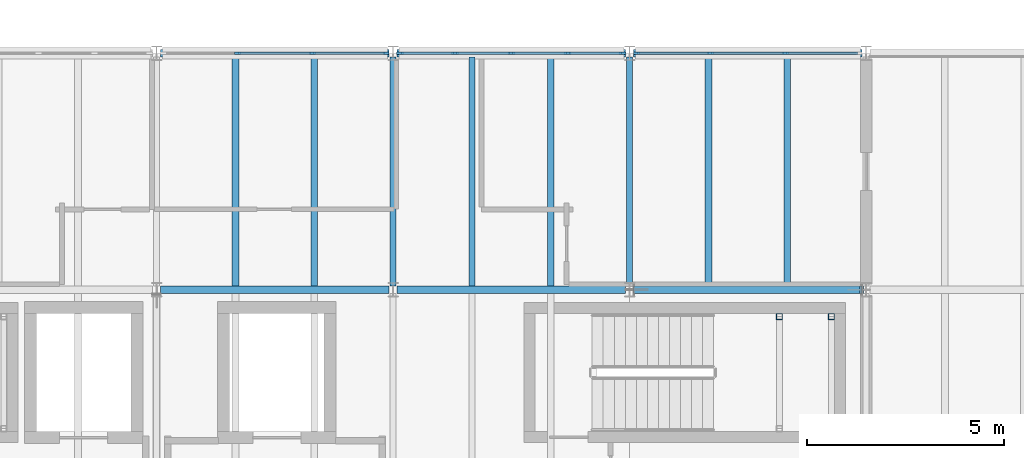
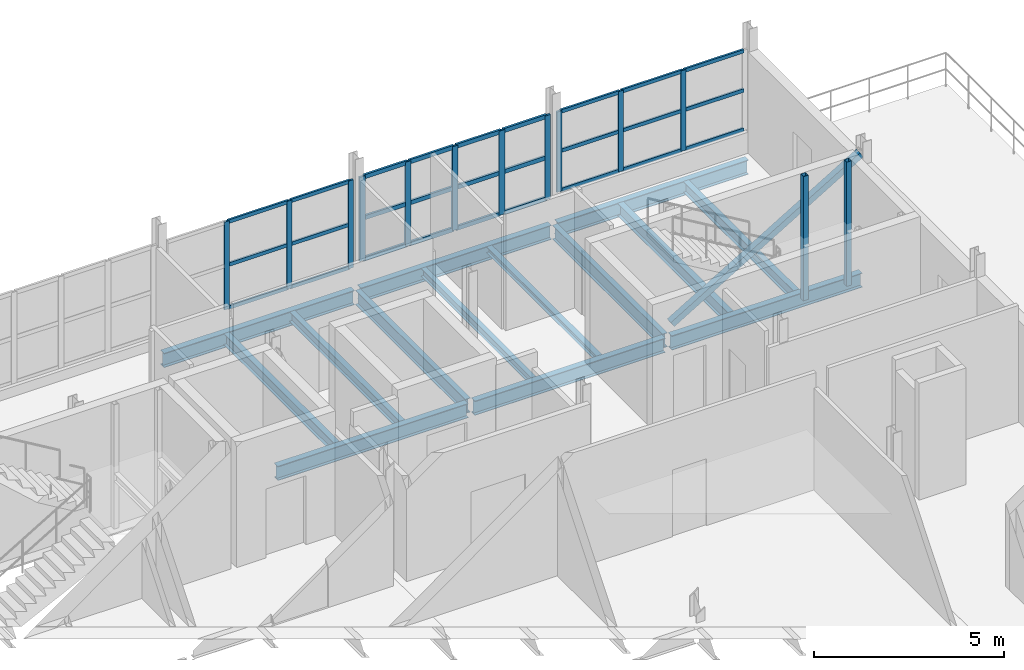
# One storey, part 10 of 23: 41 members, 14 beams, 3 elements without a shape of their own.
"""IFC4 building model written with IfcOpenShell, lengths in metres."""

import ifcopenshell
import ifcopenshell.guid

model = None  # the IFC model being written
_history = None  # IfcOwnerHistory: only IFC2X3 demands one
_inside = {}  # id of a spatial element -> (the spatial element, [elements in it])
_under = {}  # id of a project, library or spatial element -> (it, [spatial elements below it])
_declared = {}  # id of a project -> (the project, [libraries it declares])
_typed = {}  # id of a type object -> (the type object, [elements of that type])
_made_of = {}  # id of a material, layer set ... -> (it, [elements and type objects made of it])


def new_model(schema):
    """Start an empty IFC model of exactly this schema.

    Asked for "IFC4X3", IfcOpenShell would pick the latest addendum, in which some entities
    have other attributes; the version numbers below select the first issue.
    IFC2X3 requires an IfcOwnerHistory on every rooted entity: one is made here for all.
    """
    global model, _history
    if schema == "IFC4X3":
        model = ifcopenshell.file(schema_version=(4, 3, 0, 0))
    else:
        model = ifcopenshell.file(schema=schema)
    _inside.clear()
    _under.clear()
    _declared.clear()
    _typed.clear()
    _made_of.clear()
    _history = None
    if model.schema == "IFC2X3":
        org = make("IfcOrganization", Name="unknown")
        user = make(
            "IfcPersonAndOrganization",
            ThePerson=make("IfcPerson", FamilyName="unknown"),
            TheOrganization=org,
        )
        app = make(
            "IfcApplication",
            ApplicationDeveloper=org,
            Version="unknown",
            ApplicationFullName="unknown",
            ApplicationIdentifier="unknown",
        )
        _history = make(
            "IfcOwnerHistory",
            OwningUser=user,
            OwningApplication=app,
            ChangeAction="ADDED",
            CreationDate=0,
        )
    return model


def make(cls, **values):
    """One entity of the class cls with the attributes given. An attribute that is None is left unset."""
    return model.create_entity(
        cls, **{name: value for name, value in values.items() if value is not None}
    )


def rooted(cls, **values):
    """An entity with a GlobalId (a new one), such as an element, a storey or a relation."""
    return make(cls, GlobalId=ifcopenshell.guid.new(), OwnerHistory=_history, **values)


def si_unit(unit_type, name, prefix=None):
    """IfcSIUnit, for example si_unit("LENGTHUNIT", "METRE", prefix="MILLI")."""
    return make("IfcSIUnit", UnitType=unit_type, Prefix=prefix, Name=name)


def assignment(units):
    """IfcUnitAssignment: the units of a project."""
    return None if units is None else make("IfcUnitAssignment", Units=units)


def point(xyz):
    """IfcCartesianPoint."""
    return None if xyz is None else make("IfcCartesianPoint", Coordinates=xyz)


def direction(xyz):
    """IfcDirection."""
    return None if xyz is None else make("IfcDirection", DirectionRatios=xyz)


def frame(location, z_axis=None, x_axis=None):
    """IfcAxis2Placement3D, a coordinate frame: its origin and axes. An axis left out is left unset."""
    return make(
        "IfcAxis2Placement3D",
        Location=point(location),
        Axis=direction(z_axis),
        RefDirection=direction(x_axis),
    )


def frame_2d(location, x_axis=None):
    """IfcAxis2Placement2D, a coordinate frame in the plane: its origin and x axis."""
    return make(
        "IfcAxis2Placement2D", Location=point(location), RefDirection=direction(x_axis)
    )


def origin():
    """The frame at (0, 0, 0) with its axes left unset."""
    return frame((0.0, 0.0, 0.0))


def origin_2d():
    """The frame at (0, 0) in the plane with its x axis left unset."""
    return frame_2d((0.0, 0.0))


def place(relative_to, where):
    """IfcLocalPlacement: puts the frame where relative to a parent placement (None: the world)."""
    return make(
        "IfcLocalPlacement", PlacementRelTo=relative_to, RelativePlacement=where
    )


def context(
    kind, dimensions, precision=None, world=None, true_north=None, identifier=None
):
    """IfcGeometricRepresentationContext, for example the 3D "Model" context."""
    return make(
        "IfcGeometricRepresentationContext",
        ContextIdentifier=identifier,
        ContextType=kind,
        CoordinateSpaceDimension=dimensions,
        Precision=precision,
        WorldCoordinateSystem=world,
        TrueNorth=true_north,
    )


def subcontext(parent, identifier, kind, view, scale=None):
    """IfcGeometricRepresentationSubContext, for example "Body" below "Model"."""
    return make(
        "IfcGeometricRepresentationSubContext",
        ContextIdentifier=identifier,
        ContextType=kind,
        ParentContext=parent,
        TargetScale=scale,
        TargetView=view,
    )


def project(units=None, contexts=None):
    """IfcProject with its units and contexts."""
    return rooted(
        "IfcProject",
        Name="project",
        RepresentationContexts=contexts,
        UnitsInContext=assignment(units),
    )


def spatial(cls, under=None, at=None, **own):
    """A site, building, storey or space (cls), placed at a placement, below another one or the project."""
    s = rooted(cls, ObjectPlacement=at, **own)
    if under is not None:
        _under.setdefault(under.id(), (under, []))[1].append(s)
    return s


def profile(cls, at=None, kind="AREA", **sizes):
    """A parametric profile (cls). Its sizes go by their IFC names, for example OverallWidth=200.0."""
    return make(cls, ProfileType=kind, Position=at, **sizes)


def rectangle(**sizes):
    """IfcRectangleProfileDef."""
    return profile("IfcRectangleProfileDef", **sizes)


def hollow_rectangle(**sizes):
    """IfcRectangleHollowProfileDef."""
    return profile("IfcRectangleHollowProfileDef", **sizes)


def i_section(**sizes):
    """IfcIShapeProfileDef."""
    return profile("IfcIShapeProfileDef", **sizes)


def extrude(swept, where, along, depth):
    """IfcExtrudedAreaSolid: the profile swept, set in the frame where, extruded along a direction by depth."""
    return make(
        "IfcExtrudedAreaSolid",
        SweptArea=swept,
        Position=where,
        ExtrudedDirection=direction(along),
        Depth=depth,
    )


def shape(context_of_items, identifier, shape_type, items):
    """IfcShapeRepresentation: the items that make up one representation, for example the "Body"."""
    return make(
        "IfcShapeRepresentation",
        ContextOfItems=context_of_items,
        RepresentationIdentifier=identifier,
        RepresentationType=shape_type,
        Items=items,
    )


def material(Name=None, Category=None):
    """IfcMaterial."""
    return make("IfcMaterial", Name=Name, Category=Category)


def material_profile(
    of_material, cross_section, Name=None, Category=None, Priority=None
):
    """IfcMaterialProfile: a cross section and its material."""
    return make(
        "IfcMaterialProfile",
        Name=Name,
        Material=of_material,
        Profile=cross_section,
        Priority=Priority,
        Category=Category,
    )


def profile_set(profiles, Name=None, composite=None):
    """IfcMaterialProfileSet."""
    return make(
        "IfcMaterialProfileSet",
        Name=Name,
        MaterialProfiles=profiles,
        CompositeProfile=composite,
    )


def made_of(thing, what):
    """Note that an element or type object is made of a material, layer set ...; save() writes the relation."""
    if what is not None:
        _made_of.setdefault(what.id(), (what, []))[1].append(thing)
    return thing


def type_object(cls, material=None, **own):
    """A type object (cls), such as IfcWallType, which elements share."""
    return made_of(rooted(cls, **own), material)


def element(
    cls,
    number,
    at=None,
    inside=None,
    cuts=None,
    type_object=None,
    material=None,
    context=None,
    identifier="Body",
    shape_type=None,
    held_by="IfcProductDefinitionShape",
    body=None,
    shapes=None,
    **own,
):
    """One element of the class cls, such as IfcWall. Its Tag is "e" and its number.

    at: its placement. inside: the storey or other place that contains it. cuts: it is an
    opening in that element (IfcRelVoidsElement). A single representation is given by context,
    identifier, shape_type and body (its items); several are given by shapes. held_by: the class
    of the entity that holds the representations. save() writes the other relations.
    """
    e = rooted(cls, Tag="e%d" % number, ObjectPlacement=at, **own)
    if body is not None:
        shapes = [shape(context, identifier, shape_type, body)]
    if shapes is not None:
        e.Representation = make(held_by, Representations=shapes)
    if inside is not None:
        _inside.setdefault(inside.id(), (inside, []))[1].append(e)
    if cuts is not None:
        rooted(
            "IfcRelVoidsElement", RelatingBuildingElement=cuts, RelatedOpeningElement=e
        )
    if type_object is not None:
        _typed.setdefault(type_object.id(), (type_object, []))[1].append(e)
    return made_of(e, material)


def aggregate(whole, parts):
    """IfcRelAggregates: a whole, such as a stair, and the parts it consists of."""
    return rooted("IfcRelAggregates", RelatingObject=whole, RelatedObjects=parts)


def save(model, path):
    """Write the relations noted so far, then the file.

    IfcRelAggregates (storeys below a building ...), IfcRelContainedInSpatialStructure (elements
    in a storey), IfcRelDefinesByType, IfcRelAssociatesMaterial and IfcRelDeclares: one each for
    every whole, place, type object, material and project.
    """
    for whole, parts in _under.values():
        aggregate(whole, parts)
    for where, things in _inside.values():
        rooted(
            "IfcRelContainedInSpatialStructure",
            RelatedElements=things,
            RelatingStructure=where,
        )
    for kind, things in _typed.values():
        rooted("IfcRelDefinesByType", RelatedObjects=things, RelatingType=kind)
    for what, things in _made_of.values():
        rooted("IfcRelAssociatesMaterial", RelatedObjects=things, RelatingMaterial=what)
    for by, libraries in _declared.values():
        rooted("IfcRelDeclares", RelatingContext=by, RelatedDefinitions=libraries)
    model.write(path)


model = new_model("IFC4")

# Units and contexts
model_context = context("Model", 3, precision=1e-05, world=origin(), true_north=direction((0.0, 1.0)))
body_context = subcontext(model_context, "Body", "Model", "MODEL_VIEW")
ifc_project = project(units=[si_unit("LENGTHUNIT", "METRE"), si_unit("AREAUNIT", "SQUARE_METRE"), si_unit("VOLUMEUNIT", "CUBIC_METRE"), si_unit("PLANEANGLEUNIT", "RADIAN"), si_unit("MASSUNIT", "GRAM", prefix="KILO")], contexts=[model_context])

# Site, building, storey
site_placement = place(None, origin())
site = spatial("IfcSite", under=ifc_project, at=site_placement, CompositionType="ELEMENT")
building_placement = place(site_placement, origin())
building = spatial("IfcBuilding", under=site, at=building_placement, Name="Siltcreek Boulevard Central Fire Station", CompositionType="ELEMENT")
storey_placement = place(building_placement, frame((0.0, 0.0, 14.0)))
storey = spatial("IfcBuildingStorey", under=building, at=storey_placement, Name="L04", CompositionType="ELEMENT", Elevation=14.0)

# Beams
ifc_material_1 = material(Name="Structural steel ASTM A992 Gr50", Category="steel")
ifc_material_profile_1 = material_profile(ifc_material_1, i_section(OverallWidth=0.154052734375, OverallDepth=0.458984375, WebThickness=0.009033203125, FlangeThickness=0.015380859375, at=origin_2d()), Name="W460X68")
ifc_profile_set_1 = profile_set([ifc_material_profile_1], Name="Structural steel ASTM A992 Gr50")
beam_type_1 = type_object("IfcBeamType", Name="BM_W460X68", PredefinedType="BEAM", material=ifc_profile_set_1)
for number, where, z_axis, x_axis, name in (
    (1, (142.199951171875, 106.300048828125, -0.489501953125), (0.0, 1.0, 0.0), (-1.0, 0.0, 0.0), "L04 primary steel girder GY-0582"),
    (2, (148.199951171875, 106.300048828125, -0.489501953125), (0.0, 1.0, 0.0), (-1.0, 0.0, 0.0), "L04 primary steel girder GY-0585"),
):
    element("IfcBeam", number, at=place(storey_placement, frame(where, z_axis=z_axis, x_axis=x_axis)), inside=storey, type_object=beam_type_1, Name=name, PredefinedType="BEAM", context=body_context, shape_type="SweptSolid", body=[
        extrude(i_section(OverallWidth=0.154052734375, OverallDepth=0.458984375, WebThickness=0.009033203125, FlangeThickness=0.015380859375, at=origin_2d()), origin(), (0.0, 0.0, 1.0), 5.800048828125),
    ])
ifc_material_profile_2 = material_profile(ifc_material_1, i_section(OverallWidth=0.19189453125, OverallDepth=0.462890625, WebThickness=0.010498046875, FlangeThickness=0.017578125, at=origin_2d()), Name="W460X89")
ifc_profile_set_2 = profile_set([ifc_material_profile_2], Name="Structural steel ASTM A992 Gr50")
beam_type_2 = type_object("IfcBeamType", Name="BM_W460X89", PredefinedType="BEAM", material=ifc_profile_set_2)
for number, where, z_axis, x_axis, name in (
    (3, (136.300048828125, 106.199951171875, -0.491455078125), (1.0, 0.0, 0.0), (0.0, 1.0, 0.0), "L04 primary steel girder GX-0558"),
    (4, (142.300048828125, 106.199951171875, -0.491455078125), (1.0, 0.0, 0.0), (0.0, 1.0, 0.0), "L04 primary steel girder GX-0559"),
    (5, (148.300048828125, 106.199951171875, -0.491455078125), (1.0, 0.0, 0.0), (0.0, 1.0, 0.0), "L04 primary steel girder GX-0560"),
    (6, (136.300048828125, 112.199951171875, -0.491455078125), (1.0, 0.0, 0.0), (0.0, 1.0, 0.0), "L04 primary steel girder GX-0564"),
    (7, (142.300048828125, 112.199951171875, -0.491455078125), (1.0, 0.0, 0.0), (0.0, 1.0, 0.0), "L04 primary steel girder GX-0565"),
    (8, (148.300048828125, 112.199951171875, -0.491455078125), (1.0, 0.0, 0.0), (0.0, 1.0, 0.0), "L04 primary steel girder GX-0566"),
):
    element("IfcBeam", number, at=place(storey_placement, frame(where, z_axis=z_axis, x_axis=x_axis)), inside=storey, type_object=beam_type_2, Name=name, PredefinedType="BEAM", context=body_context, shape_type="SweptSolid", body=[
        extrude(i_section(OverallWidth=0.19189453125, OverallDepth=0.462890625, WebThickness=0.010498046875, FlangeThickness=0.017578125, at=origin_2d()), origin(), (0.0, 0.0, 1.0), 5.800048828125),
    ])

# Members
ifc_material_2 = material(Name="Structural steel ASTM A500 GrC", Category="steel")
ifc_material_profile_3 = material_profile(ifc_material_2, hollow_rectangle(XDim=0.14990234375, YDim=0.14990234375, WallThickness=0.008056640625, at=origin_2d()), Name="HSS150X150X8.0")
ifc_profile_set_3 = profile_set([ifc_material_profile_3], Name="Structural steel ASTM A500 GrC")
member_type_1 = type_object("IfcMemberType", Name="BR_HSS150_8", PredefinedType="BRACE", material=ifc_profile_set_3)
for number, where, z_axis, x_axis, name in (
    (9, (152.0, 105.52001953125, 0.0), (0.0, 0.0, 1.0), (1.0, 0.0, 0.0), "L04 ST-V5B stair landing corner post NW"),
    (10, (153.320068359375, 105.52001953125, 0.0), (0.0, 0.0, 1.0), (1.0, 0.0, 0.0), "L04 ST-V5B stair landing corner post NE"),
):
    element("IfcMember", number, at=place(storey_placement, frame(where, z_axis=z_axis, x_axis=x_axis)), inside=storey, type_object=member_type_1, Name=name, PredefinedType="BRACE", context=body_context, shape_type="SweptSolid", body=[
        extrude(hollow_rectangle(XDim=0.14990234375, YDim=0.14990234375, WallThickness=0.008056640625, at=origin_2d()), origin(), (0.0, 0.0, 1.0), 4.0),
    ])
ifc_material_profile_4 = material_profile(ifc_material_2, hollow_rectangle(XDim=0.199951171875, YDim=0.199951171875, WallThickness=0.009521484375, at=origin_2d()), Name="HSS200X200X9.5")
ifc_profile_set_4 = profile_set([ifc_material_profile_4], Name="Structural steel ASTM A500 GrC")
member_type_2 = type_object("IfcMemberType", Name="BR_HSS200_9", PredefinedType="BRACE", material=ifc_profile_set_4)
member_1_placement = place(storey_placement, frame((148.320068359375, 106.199951171875, 0.10009765625), z_axis=(0.857890513261, 0.0, 0.513832528415), x_axis=(0.0, 1.0, 0.0)))
element("IfcMember", 11, at=member_1_placement, inside=storey, type_object=member_type_2, Name="L04 buckling-restrained brace BR-029", PredefinedType="BRACE", context=body_context, shape_type="SweptSolid", body=[
    extrude(hollow_rectangle(XDim=0.199951171875, YDim=0.199951171875, WallThickness=0.009521484375, at=origin_2d()), origin(), (0.0, 0.0, 1.0), 6.714111328125),
])

# Curtain wall, members
ifc_material_3 = material(Name="Anodized aluminum and low-E insulated glazing", Category="aluminium")
curtain_wall_type_1 = type_object("IfcCurtainWallType", Name="CW_SYS_20", PredefinedType="USERDEFINED", material=ifc_material_3)
curtain_wall_1_placement = place(storey_placement, origin())
curtain_wall_1 = element("IfcCurtainWall", 12, at=curtain_wall_1_placement, inside=storey, type_object=curtain_wall_type_1, Name="L04 V5 unitised curtain wall CW-169", ObjectType="CURTAIN WALL", PredefinedType="USERDEFINED")
ifc_material_4 = material(Name="Anodized 6063-T6 aluminum framing", Category="aluminium")
ifc_material_profile_5 = material_profile(ifc_material_4, rectangle(XDim=0.06005859375, YDim=0.14990234375, at=origin_2d()), Name="MULL60X150")
ifc_profile_set_5 = profile_set([ifc_material_profile_5], Name="Anodized 6063-T6 aluminum framing")
member_type_3 = type_object("IfcMemberType", Name="CWM_60X150", PredefinedType="MULLION", material=ifc_profile_set_5)
member_2_placement = place(storey_placement, frame((142.02490234375, 112.199951171875, 0.43994140625), z_axis=(0.0, 0.0, 1.0), x_axis=(0.0, -1.0, 0.0)))
member_2 = element("IfcMember", 13, at=member_2_placement, type_object=member_type_3, Name="CW-169 mullion 1", PredefinedType="MULLION", context=body_context, shape_type="SweptSolid", body=[
    extrude(rectangle(XDim=0.06005859375, YDim=0.14990234375, at=origin_2d()), origin(), (0.0, 0.0, 1.0), 2.8291015625),
])
member_3_placement = place(storey_placement, frame((140.151611328125, 112.199951171875, 0.43994140625), z_axis=(0.0, 0.0, 1.0), x_axis=(0.0, -1.0, 0.0)))
member_3 = element("IfcMember", 14, at=member_3_placement, type_object=member_type_3, Name="CW-169 mullion 2", PredefinedType="MULLION", context=body_context, shape_type="SweptSolid", body=[
    extrude(rectangle(XDim=0.06005859375, YDim=0.14990234375, at=origin_2d()), origin(), (0.0, 0.0, 1.0), 2.8291015625),
])
member_4_placement = place(storey_placement, frame((138.248291015625, 112.199951171875, 0.43994140625), z_axis=(0.0, 0.0, 1.0), x_axis=(0.0, -1.0, 0.0)))
member_4 = element("IfcMember", 15, at=member_4_placement, type_object=member_type_3, Name="CW-169 mullion 3", PredefinedType="MULLION", context=body_context, shape_type="SweptSolid", body=[
    extrude(rectangle(XDim=0.06005859375, YDim=0.14990234375, at=origin_2d()), origin(), (0.0, 0.0, 1.0), 2.8291015625),
])

curtain_wall_type_2 = type_object("IfcCurtainWallType", Name="CW_SYS_22", PredefinedType="USERDEFINED", material=ifc_material_3)
curtain_wall_2_placement = place(storey_placement, origin())
curtain_wall_2 = element("IfcCurtainWall", 16, at=curtain_wall_2_placement, inside=storey, type_object=curtain_wall_type_2, Name="L04 V5 unitised curtain wall CW-171", ObjectType="CURTAIN WALL", PredefinedType="USERDEFINED")
member_5_placement = place(storey_placement, frame((152.151611328125, 112.199951171875, 0.679931640625), z_axis=(0.0, 0.0, 1.0), x_axis=(0.0, -1.0, 0.0)))
member_5 = element("IfcMember", 17, at=member_5_placement, type_object=member_type_3, Name="CW-171 mullion 2", PredefinedType="MULLION", context=body_context, shape_type="SweptSolid", body=[
    extrude(rectangle(XDim=0.06005859375, YDim=0.14990234375, at=origin_2d()), origin(), (0.0, 0.0, 1.0), 2.589111328125),
])
member_6_placement = place(storey_placement, frame((150.248291015625, 112.199951171875, 0.679931640625), z_axis=(0.0, 0.0, 1.0), x_axis=(0.0, -1.0, 0.0)))
member_6 = element("IfcMember", 18, at=member_6_placement, type_object=member_type_3, Name="CW-171 mullion 3", PredefinedType="MULLION", context=body_context, shape_type="SweptSolid", body=[
    extrude(rectangle(XDim=0.06005859375, YDim=0.14990234375, at=origin_2d()), origin(), (0.0, 0.0, 1.0), 2.589111328125),
])
member_7_placement = place(storey_placement, frame((148.375, 112.199951171875, 0.679931640625), z_axis=(0.0, 0.0, 1.0), x_axis=(0.0, -1.0, 0.0)))
member_7 = element("IfcMember", 19, at=member_7_placement, type_object=member_type_3, Name="CW-171 mullion 4", PredefinedType="MULLION", context=body_context, shape_type="SweptSolid", body=[
    extrude(rectangle(XDim=0.06005859375, YDim=0.14990234375, at=origin_2d()), origin(), (0.0, 0.0, 1.0), 2.589111328125),
])

curtain_wall_type_3 = type_object("IfcCurtainWallType", Name="CW_SYS_21", PredefinedType="USERDEFINED", material=ifc_material_3)
curtain_wall_3_placement = place(storey_placement, origin())
curtain_wall_3 = element("IfcCurtainWall", 20, at=curtain_wall_3_placement, inside=storey, type_object=curtain_wall_type_3, Name="L04 V5 unitised curtain wall CW-170", ObjectType="CURTAIN WALL", PredefinedType="USERDEFINED")
ifc_material_profile_6 = material_profile(ifc_material_4, rectangle(XDim=0.06494140625, YDim=0.175048828125, at=origin_2d()), Name="MULL65X175")
ifc_profile_set_6 = profile_set([ifc_material_profile_6], Name="Anodized 6063-T6 aluminum framing")
member_type_4 = type_object("IfcMemberType", Name="CWM_65X175", PredefinedType="MULLION", material=ifc_profile_set_6)
member_8_placement = place(storey_placement, frame((148.0224609375, 112.199951171875, 0.56005859375), z_axis=(0.0, 0.0, 1.0), x_axis=(0.0, -1.0, 0.0)))
member_8 = element("IfcMember", 21, at=member_8_placement, type_object=member_type_4, Name="CW-170 mullion 1", PredefinedType="MULLION", context=body_context, shape_type="SweptSolid", body=[
    extrude(rectangle(XDim=0.06494140625, YDim=0.175048828125, at=origin_2d()), origin(), (0.0, 0.0, 1.0), 2.708984375),
])
member_9_placement = place(storey_placement, frame((146.62744140625, 112.199951171875, 0.56005859375), z_axis=(0.0, 0.0, 1.0), x_axis=(0.0, -1.0, 0.0)))
member_9 = element("IfcMember", 22, at=member_9_placement, type_object=member_type_4, Name="CW-170 mullion 2", PredefinedType="MULLION", context=body_context, shape_type="SweptSolid", body=[
    extrude(rectangle(XDim=0.06494140625, YDim=0.175048828125, at=origin_2d()), origin(), (0.0, 0.0, 1.0), 2.708984375),
])
member_10_placement = place(storey_placement, frame((145.199951171875, 112.199951171875, 0.56005859375), z_axis=(0.0, 0.0, 1.0), x_axis=(0.0, -1.0, 0.0)))
member_10 = element("IfcMember", 23, at=member_10_placement, type_object=member_type_4, Name="CW-170 mullion 3", PredefinedType="MULLION", context=body_context, shape_type="SweptSolid", body=[
    extrude(rectangle(XDim=0.06494140625, YDim=0.175048828125, at=origin_2d()), origin(), (0.0, 0.0, 1.0), 2.708984375),
])
member_11_placement = place(storey_placement, frame((143.7724609375, 112.199951171875, 0.56005859375), z_axis=(0.0, 0.0, 1.0), x_axis=(0.0, -1.0, 0.0)))
member_11 = element("IfcMember", 24, at=member_11_placement, type_object=member_type_4, Name="CW-170 mullion 4", PredefinedType="MULLION", context=body_context, shape_type="SweptSolid", body=[
    extrude(rectangle(XDim=0.06494140625, YDim=0.175048828125, at=origin_2d()), origin(), (0.0, 0.0, 1.0), 2.708984375),
])
member_12_placement = place(storey_placement, frame((142.37744140625, 112.199951171875, 0.56005859375), z_axis=(0.0, 0.0, 1.0), x_axis=(0.0, -1.0, 0.0)))
member_12 = element("IfcMember", 25, at=member_12_placement, type_object=member_type_4, Name="CW-170 mullion 5", PredefinedType="MULLION", context=body_context, shape_type="SweptSolid", body=[
    extrude(rectangle(XDim=0.06494140625, YDim=0.175048828125, at=origin_2d()), origin(), (0.0, 0.0, 1.0), 2.708984375),
])

# Member
ifc_material_profile_7 = material_profile(ifc_material_4, rectangle(XDim=0.06005859375, YDim=0.114990234375, at=origin_2d()), Name="TRAN60X115")
ifc_profile_set_7 = profile_set([ifc_material_profile_7], Name="Anodized 6063-T6 aluminum framing")
member_type_5 = type_object("IfcMemberType", Name="CWT_60X115", PredefinedType="USERDEFINED", material=ifc_profile_set_7)
member_13_placement = place(storey_placement, frame((141.9951171875, 112.199951171875, 0.469970703125), z_axis=(-1.0, 0.0, 0.0), x_axis=(0.0, -1.0, 0.0)))
member_13 = element("IfcMember", 26, at=member_13_placement, type_object=member_type_5, Name="CW-169 transom 1.1", ObjectType="TRANSOM", PredefinedType="USERDEFINED", context=body_context, shape_type="SweptSolid", body=[
    extrude(rectangle(XDim=0.06005859375, YDim=0.114990234375, at=origin_2d()), origin(), (0.0, 0.0, 1.0), 1.8134765625),
])

member_14_placement = place(storey_placement, frame((141.9951171875, 112.199951171875, 1.8544921875), z_axis=(-1.0, 0.0, 0.0), x_axis=(0.0, -1.0, 0.0)))
member_14 = element("IfcMember", 27, at=member_14_placement, type_object=member_type_5, Name="CW-169 transom 1.2", ObjectType="TRANSOM", PredefinedType="USERDEFINED", context=body_context, shape_type="SweptSolid", body=[
    extrude(rectangle(XDim=0.06005859375, YDim=0.114990234375, at=origin_2d()), origin(), (0.0, 0.0, 1.0), 1.8134765625),
])

member_15_placement = place(storey_placement, frame((141.9951171875, 112.199951171875, 3.239013671875), z_axis=(-1.0, 0.0, 0.0), x_axis=(0.0, -1.0, 0.0)))
member_15 = element("IfcMember", 28, at=member_15_placement, type_object=member_type_5, Name="CW-169 transom 1.3", ObjectType="TRANSOM", PredefinedType="USERDEFINED", context=body_context, shape_type="SweptSolid", body=[
    extrude(rectangle(XDim=0.06005859375, YDim=0.114990234375, at=origin_2d()), origin(), (0.0, 0.0, 1.0), 1.8134765625),
])

member_16_placement = place(storey_placement, frame((140.12158203125, 112.199951171875, 0.469970703125), z_axis=(-1.0, 0.0, 0.0), x_axis=(0.0, -1.0, 0.0)))
member_16 = element("IfcMember", 29, at=member_16_placement, type_object=member_type_5, Name="CW-169 transom 2.1", ObjectType="TRANSOM", PredefinedType="USERDEFINED", context=body_context, shape_type="SweptSolid", body=[
    extrude(rectangle(XDim=0.06005859375, YDim=0.114990234375, at=origin_2d()), origin(), (0.0, 0.0, 1.0), 1.84326171875),
])

member_17_placement = place(storey_placement, frame((140.12158203125, 112.199951171875, 1.8544921875), z_axis=(-1.0, 0.0, 0.0), x_axis=(0.0, -1.0, 0.0)))
member_17 = element("IfcMember", 30, at=member_17_placement, type_object=member_type_5, Name="CW-169 transom 2.2", ObjectType="TRANSOM", PredefinedType="USERDEFINED", context=body_context, shape_type="SweptSolid", body=[
    extrude(rectangle(XDim=0.06005859375, YDim=0.114990234375, at=origin_2d()), origin(), (0.0, 0.0, 1.0), 1.84326171875),
])

member_18_placement = place(storey_placement, frame((140.12158203125, 112.199951171875, 3.239013671875), z_axis=(-1.0, 0.0, 0.0), x_axis=(0.0, -1.0, 0.0)))
member_18 = element("IfcMember", 31, at=member_18_placement, type_object=member_type_5, Name="CW-169 transom 2.3", ObjectType="TRANSOM", PredefinedType="USERDEFINED", context=body_context, shape_type="SweptSolid", body=[
    extrude(rectangle(XDim=0.06005859375, YDim=0.114990234375, at=origin_2d()), origin(), (0.0, 0.0, 1.0), 1.84326171875),
])

aggregate(curtain_wall_1, [member_2, member_3, member_4, member_13, member_14, member_15, member_16, member_17, member_18])

member_19_placement = place(storey_placement, frame((153.9951171875, 112.199951171875, 0.7099609375), z_axis=(-1.0, 0.0, 0.0), x_axis=(0.0, -1.0, 0.0)))
member_19 = element("IfcMember", 32, at=member_19_placement, type_object=member_type_5, Name="CW-171 transom 1.1", ObjectType="TRANSOM", PredefinedType="USERDEFINED", context=body_context, shape_type="SweptSolid", body=[
    extrude(rectangle(XDim=0.06005859375, YDim=0.114990234375, at=origin_2d()), origin(), (0.0, 0.0, 1.0), 1.8134765625),
])

member_20_placement = place(storey_placement, frame((153.9951171875, 112.199951171875, 1.974609375), z_axis=(-1.0, 0.0, 0.0), x_axis=(0.0, -1.0, 0.0)))
member_20 = element("IfcMember", 33, at=member_20_placement, type_object=member_type_5, Name="CW-171 transom 1.2", ObjectType="TRANSOM", PredefinedType="USERDEFINED", context=body_context, shape_type="SweptSolid", body=[
    extrude(rectangle(XDim=0.06005859375, YDim=0.114990234375, at=origin_2d()), origin(), (0.0, 0.0, 1.0), 1.8134765625),
])

member_21_placement = place(storey_placement, frame((153.9951171875, 112.199951171875, 3.239013671875), z_axis=(-1.0, 0.0, 0.0), x_axis=(0.0, -1.0, 0.0)))
member_21 = element("IfcMember", 34, at=member_21_placement, type_object=member_type_5, Name="CW-171 transom 1.3", ObjectType="TRANSOM", PredefinedType="USERDEFINED", context=body_context, shape_type="SweptSolid", body=[
    extrude(rectangle(XDim=0.06005859375, YDim=0.114990234375, at=origin_2d()), origin(), (0.0, 0.0, 1.0), 1.8134765625),
])

member_22_placement = place(storey_placement, frame((152.12158203125, 112.199951171875, 0.7099609375), z_axis=(-1.0, 0.0, 0.0), x_axis=(0.0, -1.0, 0.0)))
member_22 = element("IfcMember", 35, at=member_22_placement, type_object=member_type_5, Name="CW-171 transom 2.1", ObjectType="TRANSOM", PredefinedType="USERDEFINED", context=body_context, shape_type="SweptSolid", body=[
    extrude(rectangle(XDim=0.06005859375, YDim=0.114990234375, at=origin_2d()), origin(), (0.0, 0.0, 1.0), 1.84326171875),
])

member_23_placement = place(storey_placement, frame((152.12158203125, 112.199951171875, 1.974609375), z_axis=(-1.0, 0.0, 0.0), x_axis=(0.0, -1.0, 0.0)))
member_23 = element("IfcMember", 36, at=member_23_placement, type_object=member_type_5, Name="CW-171 transom 2.2", ObjectType="TRANSOM", PredefinedType="USERDEFINED", context=body_context, shape_type="SweptSolid", body=[
    extrude(rectangle(XDim=0.06005859375, YDim=0.114990234375, at=origin_2d()), origin(), (0.0, 0.0, 1.0), 1.84326171875),
])

member_24_placement = place(storey_placement, frame((152.12158203125, 112.199951171875, 3.239013671875), z_axis=(-1.0, 0.0, 0.0), x_axis=(0.0, -1.0, 0.0)))
member_24 = element("IfcMember", 37, at=member_24_placement, type_object=member_type_5, Name="CW-171 transom 2.3", ObjectType="TRANSOM", PredefinedType="USERDEFINED", context=body_context, shape_type="SweptSolid", body=[
    extrude(rectangle(XDim=0.06005859375, YDim=0.114990234375, at=origin_2d()), origin(), (0.0, 0.0, 1.0), 1.84326171875),
])

member_25_placement = place(storey_placement, frame((150.21826171875, 112.199951171875, 0.7099609375), z_axis=(-1.0, 0.0, 0.0), x_axis=(0.0, -1.0, 0.0)))
member_25 = element("IfcMember", 38, at=member_25_placement, type_object=member_type_5, Name="CW-171 transom 3.1", ObjectType="TRANSOM", PredefinedType="USERDEFINED", context=body_context, shape_type="SweptSolid", body=[
    extrude(rectangle(XDim=0.06005859375, YDim=0.114990234375, at=origin_2d()), origin(), (0.0, 0.0, 1.0), 1.813232421875),
])

member_26_placement = place(storey_placement, frame((150.21826171875, 112.199951171875, 1.974609375), z_axis=(-1.0, 0.0, 0.0), x_axis=(0.0, -1.0, 0.0)))
member_26 = element("IfcMember", 39, at=member_26_placement, type_object=member_type_5, Name="CW-171 transom 3.2", ObjectType="TRANSOM", PredefinedType="USERDEFINED", context=body_context, shape_type="SweptSolid", body=[
    extrude(rectangle(XDim=0.06005859375, YDim=0.114990234375, at=origin_2d()), origin(), (0.0, 0.0, 1.0), 1.813232421875),
])

member_27_placement = place(storey_placement, frame((150.21826171875, 112.199951171875, 3.239013671875), z_axis=(-1.0, 0.0, 0.0), x_axis=(0.0, -1.0, 0.0)))
member_27 = element("IfcMember", 40, at=member_27_placement, type_object=member_type_5, Name="CW-171 transom 3.3", ObjectType="TRANSOM", PredefinedType="USERDEFINED", context=body_context, shape_type="SweptSolid", body=[
    extrude(rectangle(XDim=0.06005859375, YDim=0.114990234375, at=origin_2d()), origin(), (0.0, 0.0, 1.0), 1.813232421875),
])

aggregate(curtain_wall_2, [member_5, member_6, member_7, member_19, member_20, member_21, member_22, member_23, member_24, member_25, member_26, member_27])

ifc_material_profile_8 = material_profile(ifc_material_4, rectangle(XDim=0.06494140625, YDim=0.135009765625, at=origin_2d()), Name="TRAN65X135")
ifc_profile_set_8 = profile_set([ifc_material_profile_8], Name="Anodized 6063-T6 aluminum framing")
member_type_6 = type_object("IfcMemberType", Name="CWT_65X135", PredefinedType="USERDEFINED", material=ifc_profile_set_8)
member_28_placement = place(storey_placement, frame((147.989990234375, 112.199951171875, 0.592529296875), z_axis=(-1.0, 0.0, 0.0), x_axis=(0.0, -1.0, 0.0)))
member_28 = element("IfcMember", 41, at=member_28_placement, type_object=member_type_6, Name="CW-170 transom 1.1", ObjectType="TRANSOM", PredefinedType="USERDEFINED", context=body_context, shape_type="SweptSolid", body=[
    extrude(rectangle(XDim=0.06494140625, YDim=0.135009765625, at=origin_2d()), origin(), (0.0, 0.0, 1.0), 1.330078125),
])

member_29_placement = place(storey_placement, frame((147.989990234375, 112.199951171875, 1.91455078125), z_axis=(-1.0, 0.0, 0.0), x_axis=(0.0, -1.0, 0.0)))
member_29 = element("IfcMember", 42, at=member_29_placement, type_object=member_type_6, Name="CW-170 transom 1.2", ObjectType="TRANSOM", PredefinedType="USERDEFINED", context=body_context, shape_type="SweptSolid", body=[
    extrude(rectangle(XDim=0.06494140625, YDim=0.135009765625, at=origin_2d()), origin(), (0.0, 0.0, 1.0), 1.330078125),
])

member_30_placement = place(storey_placement, frame((147.989990234375, 112.199951171875, 3.236572265625), z_axis=(-1.0, 0.0, 0.0), x_axis=(0.0, -1.0, 0.0)))
member_30 = element("IfcMember", 43, at=member_30_placement, type_object=member_type_6, Name="CW-170 transom 1.3", ObjectType="TRANSOM", PredefinedType="USERDEFINED", context=body_context, shape_type="SweptSolid", body=[
    extrude(rectangle(XDim=0.06494140625, YDim=0.135009765625, at=origin_2d()), origin(), (0.0, 0.0, 1.0), 1.330078125),
])

member_31_placement = place(storey_placement, frame((146.594970703125, 112.199951171875, 0.592529296875), z_axis=(-1.0, 0.0, 0.0), x_axis=(0.0, -1.0, 0.0)))
member_31 = element("IfcMember", 44, at=member_31_placement, type_object=member_type_6, Name="CW-170 transom 2.1", ObjectType="TRANSOM", PredefinedType="USERDEFINED", context=body_context, shape_type="SweptSolid", body=[
    extrude(rectangle(XDim=0.06494140625, YDim=0.135009765625, at=origin_2d()), origin(), (0.0, 0.0, 1.0), 1.362548828125),
])

member_32_placement = place(storey_placement, frame((146.594970703125, 112.199951171875, 1.91455078125), z_axis=(-1.0, 0.0, 0.0), x_axis=(0.0, -1.0, 0.0)))
member_32 = element("IfcMember", 45, at=member_32_placement, type_object=member_type_6, Name="CW-170 transom 2.2", ObjectType="TRANSOM", PredefinedType="USERDEFINED", context=body_context, shape_type="SweptSolid", body=[
    extrude(rectangle(XDim=0.06494140625, YDim=0.135009765625, at=origin_2d()), origin(), (0.0, 0.0, 1.0), 1.362548828125),
])

member_33_placement = place(storey_placement, frame((146.594970703125, 112.199951171875, 3.236572265625), z_axis=(-1.0, 0.0, 0.0), x_axis=(0.0, -1.0, 0.0)))
member_33 = element("IfcMember", 46, at=member_33_placement, type_object=member_type_6, Name="CW-170 transom 2.3", ObjectType="TRANSOM", PredefinedType="USERDEFINED", context=body_context, shape_type="SweptSolid", body=[
    extrude(rectangle(XDim=0.06494140625, YDim=0.135009765625, at=origin_2d()), origin(), (0.0, 0.0, 1.0), 1.362548828125),
])

member_34_placement = place(storey_placement, frame((145.16748046875, 112.199951171875, 0.592529296875), z_axis=(-1.0, 0.0, 0.0), x_axis=(0.0, -1.0, 0.0)))
member_34 = element("IfcMember", 47, at=member_34_placement, type_object=member_type_6, Name="CW-170 transom 3.1", ObjectType="TRANSOM", PredefinedType="USERDEFINED", context=body_context, shape_type="SweptSolid", body=[
    extrude(rectangle(XDim=0.06494140625, YDim=0.135009765625, at=origin_2d()), origin(), (0.0, 0.0, 1.0), 1.362548828125),
])

member_35_placement = place(storey_placement, frame((145.16748046875, 112.199951171875, 1.91455078125), z_axis=(-1.0, 0.0, 0.0), x_axis=(0.0, -1.0, 0.0)))
member_35 = element("IfcMember", 48, at=member_35_placement, type_object=member_type_6, Name="CW-170 transom 3.2", ObjectType="TRANSOM", PredefinedType="USERDEFINED", context=body_context, shape_type="SweptSolid", body=[
    extrude(rectangle(XDim=0.06494140625, YDim=0.135009765625, at=origin_2d()), origin(), (0.0, 0.0, 1.0), 1.362548828125),
])

member_36_placement = place(storey_placement, frame((145.16748046875, 112.199951171875, 3.236572265625), z_axis=(-1.0, 0.0, 0.0), x_axis=(0.0, -1.0, 0.0)))
member_36 = element("IfcMember", 49, at=member_36_placement, type_object=member_type_6, Name="CW-170 transom 3.3", ObjectType="TRANSOM", PredefinedType="USERDEFINED", context=body_context, shape_type="SweptSolid", body=[
    extrude(rectangle(XDim=0.06494140625, YDim=0.135009765625, at=origin_2d()), origin(), (0.0, 0.0, 1.0), 1.362548828125),
])

member_37_placement = place(storey_placement, frame((143.739990234375, 112.199951171875, 0.592529296875), z_axis=(-1.0, 0.0, 0.0), x_axis=(0.0, -1.0, 0.0)))
member_37 = element("IfcMember", 50, at=member_37_placement, type_object=member_type_6, Name="CW-170 transom 4.1", ObjectType="TRANSOM", PredefinedType="USERDEFINED", context=body_context, shape_type="SweptSolid", body=[
    extrude(rectangle(XDim=0.06494140625, YDim=0.135009765625, at=origin_2d()), origin(), (0.0, 0.0, 1.0), 1.330078125),
])

member_38_placement = place(storey_placement, frame((143.739990234375, 112.199951171875, 1.91455078125), z_axis=(-1.0, 0.0, 0.0), x_axis=(0.0, -1.0, 0.0)))
member_38 = element("IfcMember", 51, at=member_38_placement, type_object=member_type_6, Name="CW-170 transom 4.2", ObjectType="TRANSOM", PredefinedType="USERDEFINED", context=body_context, shape_type="SweptSolid", body=[
    extrude(rectangle(XDim=0.06494140625, YDim=0.135009765625, at=origin_2d()), origin(), (0.0, 0.0, 1.0), 1.330078125),
])

member_39_placement = place(storey_placement, frame((143.739990234375, 112.199951171875, 3.236572265625), z_axis=(-1.0, 0.0, 0.0), x_axis=(0.0, -1.0, 0.0)))
member_39 = element("IfcMember", 52, at=member_39_placement, type_object=member_type_6, Name="CW-170 transom 4.3", ObjectType="TRANSOM", PredefinedType="USERDEFINED", context=body_context, shape_type="SweptSolid", body=[
    extrude(rectangle(XDim=0.06494140625, YDim=0.135009765625, at=origin_2d()), origin(), (0.0, 0.0, 1.0), 1.330078125),
])

aggregate(curtain_wall_3, [member_8, member_9, member_10, member_11, member_12, member_28, member_29, member_30, member_31, member_32, member_33, member_34, member_35, member_36, member_37, member_38, member_39])

# Beams
ifc_material_profile_9 = material_profile(ifc_material_1, i_section(OverallWidth=0.1650390625, OverallDepth=0.200927734375, WebThickness=0.006103515625, FlangeThickness=0.01025390625, at=origin_2d()), Name="W200X36")
ifc_profile_set_9 = profile_set([ifc_material_profile_9], Name="Structural steel ASTM A992 Gr50")
beam_type_3 = type_object("IfcBeamType", Name="JST_W200X36", PredefinedType="JOIST", material=ifc_profile_set_9)
beam_1_placement = place(storey_placement, frame((146.199951171875, 106.2939453125, -0.360595703125), z_axis=(0.0, 1.0, 0.0), x_axis=(-1.0, 0.0, 0.0)))
element("IfcBeam", 53, at=beam_1_placement, inside=storey, type_object=beam_type_3, Name="L04 secondary steel floor joist 0500", PredefinedType="JOIST", context=body_context, shape_type="SweptSolid", body=[
    extrude(i_section(OverallWidth=0.1650390625, OverallDepth=0.200927734375, WebThickness=0.006103515625, FlangeThickness=0.01025390625, at=origin_2d()), origin(), (0.0, 0.0, 1.0), 5.81201171875),
])
ifc_material_profile_10 = material_profile(ifc_material_1, i_section(OverallWidth=0.14697265625, OverallDepth=0.261962890625, WebThickness=0.006591796875, FlangeThickness=0.01123046875, at=origin_2d()), Name="W250X39")
ifc_profile_set_10 = profile_set([ifc_material_profile_10], Name="Structural steel ASTM A992 Gr50")
beam_type_4 = type_object("IfcBeamType", Name="JST_W250X39", PredefinedType="JOIST", material=ifc_profile_set_10)
beam_2_placement = place(storey_placement, frame((144.199951171875, 106.2939453125, -0.39111328125), z_axis=(0.0, 1.0, 0.0), x_axis=(-1.0, 0.0, 0.0)))
element("IfcBeam", 54, at=beam_2_placement, inside=storey, type_object=beam_type_4, Name="L04 secondary steel floor joist 0499", PredefinedType="JOIST", context=body_context, shape_type="SweptSolid", body=[
    extrude(i_section(OverallWidth=0.14697265625, OverallDepth=0.261962890625, WebThickness=0.006591796875, FlangeThickness=0.01123046875, at=origin_2d()), origin(), (0.0, 0.0, 1.0), 5.81201171875),
])
ifc_material_profile_11 = material_profile(ifc_material_1, i_section(OverallWidth=0.166015625, OverallDepth=0.31298828125, WebThickness=0.006591796875, FlangeThickness=0.01123046875, at=origin_2d()), Name="W310X45")
ifc_profile_set_11 = profile_set([ifc_material_profile_11], Name="Structural steel ASTM A992 Gr50")
beam_type_5 = type_object("IfcBeamType", Name="JST_W310X45", PredefinedType="JOIST", material=ifc_profile_set_11)
beam_3_placement = place(storey_placement, frame((140.199951171875, 106.2939453125, -0.41650390625), z_axis=(0.0, 1.0, 0.0), x_axis=(-1.0, 0.0, 0.0)))
element("IfcBeam", 55, at=beam_3_placement, inside=storey, type_object=beam_type_5, Name="L04 secondary steel floor joist 0498", PredefinedType="JOIST", context=body_context, shape_type="SweptSolid", body=[
    extrude(i_section(OverallWidth=0.166015625, OverallDepth=0.31298828125, WebThickness=0.006591796875, FlangeThickness=0.01123046875, at=origin_2d()), origin(), (0.0, 0.0, 1.0), 5.81201171875),
])
ifc_material_profile_12 = material_profile(ifc_material_1, i_section(OverallWidth=0.172119140625, OverallDepth=0.35791015625, WebThickness=0.0078125, FlangeThickness=0.01318359375, at=origin_2d()), Name="W360X57")
ifc_profile_set_12 = profile_set([ifc_material_profile_12], Name="Structural steel ASTM A992 Gr50")
beam_type_6 = type_object("IfcBeamType", Name="JST_W360X57", PredefinedType="JOIST", material=ifc_profile_set_12)
for number, where, z_axis, x_axis, name in (
    (56, (138.199951171875, 106.2939453125, -0.43896484375), (0.0, 1.0, 0.0), (-1.0, 0.0, 0.0), "L04 secondary steel floor joist 0497"),
    (57, (152.199951171875, 106.2939453125, -0.43896484375), (0.0, 1.0, 0.0), (-1.0, 0.0, 0.0), "L04 secondary steel floor joist 0502"),
):
    element("IfcBeam", number, at=place(storey_placement, frame(where, z_axis=z_axis, x_axis=x_axis)), inside=storey, type_object=beam_type_6, Name=name, PredefinedType="JOIST", context=body_context, shape_type="SweptSolid", body=[
        extrude(i_section(OverallWidth=0.172119140625, OverallDepth=0.35791015625, WebThickness=0.0078125, FlangeThickness=0.01318359375, at=origin_2d()), origin(), (0.0, 0.0, 1.0), 5.81201171875),
    ])
ifc_material_profile_13 = material_profile(ifc_material_1, i_section(OverallWidth=0.177001953125, OverallDepth=0.403076171875, WebThickness=0.007568359375, FlangeThickness=0.010986328125, at=origin_2d()), Name="W410X53")
ifc_profile_set_13 = profile_set([ifc_material_profile_13], Name="Structural steel ASTM A992 Gr50")
beam_type_7 = type_object("IfcBeamType", Name="JST_W410X53", PredefinedType="JOIST", material=ifc_profile_set_13)
beam_4_placement = place(storey_placement, frame((150.199951171875, 106.2939453125, -0.46142578125), z_axis=(0.0, 1.0, 0.0), x_axis=(-1.0, 0.0, 0.0)))
element("IfcBeam", 58, at=beam_4_placement, inside=storey, type_object=beam_type_7, Name="L04 secondary steel floor joist 0501", PredefinedType="JOIST", context=body_context, shape_type="SweptSolid", body=[
    extrude(i_section(OverallWidth=0.177001953125, OverallDepth=0.403076171875, WebThickness=0.007568359375, FlangeThickness=0.010986328125, at=origin_2d()), origin(), (0.0, 0.0, 1.0), 5.81201171875),
])

save(model, "model.ifc")
